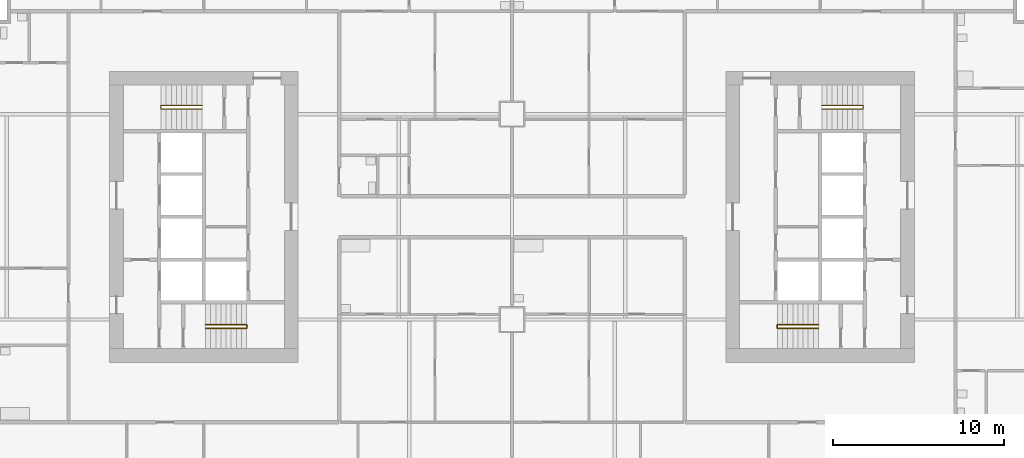
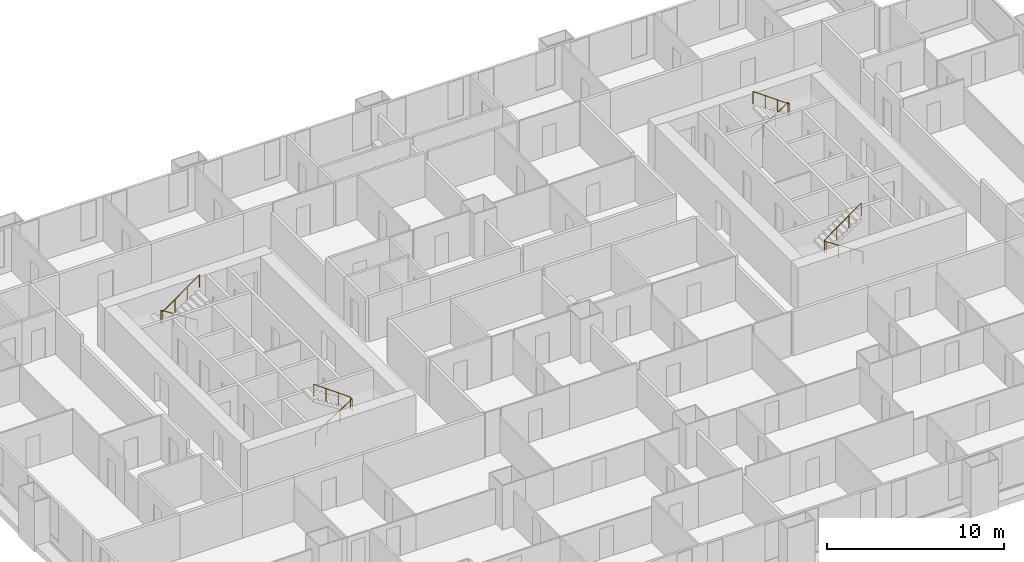
# One storey, part 13 of 14: 4 railings.
"""IFC4 building model written with IfcOpenShell, lengths in metres."""

from ifc_helpers import new_model, si_unit, direction, frame, origin, origin_2d, place, context, subcontext, project, spatial, circle, extrude, material, type_object, element, save


model = new_model("IFC4")

# Units and contexts
model_context = context("Model", 3, precision=1e-05, world=origin(), true_north=direction((0.0, 1.0)))
body_context = subcontext(model_context, "Body", "Model", "MODEL_VIEW")
ifc_project = project(units=[si_unit("LENGTHUNIT", "METRE"), si_unit("AREAUNIT", "SQUARE_METRE"), si_unit("VOLUMEUNIT", "CUBIC_METRE"), si_unit("PLANEANGLEUNIT", "RADIAN"), si_unit("MASSUNIT", "GRAM", prefix="KILO")], contexts=[model_context])

# Site, building, storey
site_placement = place(None, origin())
site = spatial("IfcSite", under=ifc_project, at=site_placement, CompositionType="ELEMENT")
building_placement = place(site_placement, origin())
building = spatial("IfcBuilding", under=site, at=building_placement, Name="Kitamizu Gate Tower and Museum", CompositionType="ELEMENT")
storey_placement = place(building_placement, frame((0.0, 0.0, 33.449951171875)))
storey = spatial("IfcBuildingStorey", under=building, at=storey_placement, Name="L06", CompositionType="ELEMENT", Elevation=33.449951171875)

# Railings
ifc_material = material(Name="Stainless steel SUS304", Category="steel")
railing_type = type_object("IfcRailingType", Name="Stair handrail 900", PredefinedType="HANDRAIL", material=ifc_material)
railing_1_placement = place(storey_placement, frame((18.10009765625, 23.5, 0.191650390625)))
element("IfcRailing", 1, at=railing_1_placement, inside=storey, type_object=railing_type, Name="Stair handrail ST1", PredefinedType="HANDRAIL", context=body_context, shape_type="SweptSolid", body=[
    extrude(circle(Radius=0.02392578125, at=origin_2d()), frame((0.0, 0.0, 0.8759765625), z_axis=(0.842668169335, 0.0, 0.538433242278), x_axis=(0.0, 1.0, 0.0)), (0.0, 0.0, 1.0), 2.847900390625),
    extrude(circle(Radius=0.02392578125, at=origin_2d()), frame((2.39990234375, 0.0, 2.4091796875), z_axis=(0.0, 1.0, 0.0), x_axis=(-1.0, 0.0, 0.0)), (0.0, 0.0, 1.0), 0.199951171875),
    extrude(circle(Radius=0.02392578125, at=origin_2d()), frame((2.39990234375, 0.199951171875, 2.4091796875), z_axis=(-0.81202760531, 0.0, 0.583619026604), x_axis=(0.0, -1.0, 0.0)), (0.0, 0.0, 1.0), 2.955322265625),
    extrude(circle(Radius=0.02099609375, at=origin_2d()), origin(), (0.0, 0.0, 1.0), 0.851806640625),
    extrude(circle(Radius=0.02099609375, at=origin_2d()), frame((0.800048828125, 0.0, 0.51123046875)), (0.0, 0.0, 1.0), 0.851806640625),
    extrude(circle(Radius=0.02099609375, at=origin_2d()), frame((1.599853515625, 0.0, 1.022216796875)), (0.0, 0.0, 1.0), 0.851806640625),
    extrude(circle(Radius=0.02099609375, at=origin_2d()), frame((2.39990234375, 0.0, 1.533447265625)), (0.0, 0.0, 1.0), 0.851806640625),
    extrude(circle(Radius=0.02099609375, at=origin_2d()), frame((2.39990234375, 0.199951171875, 1.533447265625)), (0.0, 0.0, 1.0), 0.851806640625),
    extrude(circle(Radius=0.02099609375, at=origin_2d()), frame((1.599853515625, 0.199951171875, 2.1083984375)), (0.0, 0.0, 1.0), 0.851806640625),
    extrude(circle(Radius=0.02099609375, at=origin_2d()), frame((0.800048828125, 0.199951171875, 2.683349609375)), (0.0, 0.0, 1.0), 0.851806640625),
    extrude(circle(Radius=0.02099609375, at=origin_2d()), frame((0.0, 0.199951171875, 3.25830078125)), (0.0, 0.0, 1.0), 0.851806640625),
])
railing_2_placement = place(storey_placement, frame((17.89990234375, 36.5, 0.191650390625)))
element("IfcRailing", 2, at=railing_2_placement, inside=storey, type_object=railing_type, Name="Stair handrail ST2", PredefinedType="HANDRAIL", context=body_context, shape_type="SweptSolid", body=[
    extrude(circle(Radius=0.02392578125, at=origin_2d()), frame((0.0, 0.0, 0.8759765625), z_axis=(-0.842668169335, 0.0, 0.538433242278), x_axis=(0.0, -1.0, 0.0)), (0.0, 0.0, 1.0), 2.847900390625),
    extrude(circle(Radius=0.02392578125, at=origin_2d()), frame((-2.39990234375, 0.0, 2.4091796875), z_axis=(0.0, -1.0, 0.0), x_axis=(1.0, 0.0, 0.0)), (0.0, 0.0, 1.0), 0.199951171875),
    extrude(circle(Radius=0.02392578125, at=origin_2d()), frame((-2.39990234375, -0.199951171875, 2.4091796875), z_axis=(0.81202760531, 0.0, 0.583619026604), x_axis=(0.0, 1.0, 0.0)), (0.0, 0.0, 1.0), 2.955322265625),
    extrude(circle(Radius=0.02099609375, at=origin_2d()), origin(), (0.0, 0.0, 1.0), 0.851806640625),
    extrude(circle(Radius=0.02099609375, at=origin_2d()), frame((-0.800048828125, 0.0, 0.51123046875)), (0.0, 0.0, 1.0), 0.851806640625),
    extrude(circle(Radius=0.02099609375, at=origin_2d()), frame((-1.599853515625, 0.0, 1.022216796875)), (0.0, 0.0, 1.0), 0.851806640625),
    extrude(circle(Radius=0.02099609375, at=origin_2d()), frame((-2.39990234375, 0.0, 1.533447265625)), (0.0, 0.0, 1.0), 0.851806640625),
    extrude(circle(Radius=0.02099609375, at=origin_2d()), frame((-2.39990234375, -0.199951171875, 1.533447265625)), (0.0, 0.0, 1.0), 0.851806640625),
    extrude(circle(Radius=0.02099609375, at=origin_2d()), frame((-1.599853515625, -0.199951171875, 2.1083984375)), (0.0, 0.0, 1.0), 0.851806640625),
    extrude(circle(Radius=0.02099609375, at=origin_2d()), frame((-0.800048828125, -0.199951171875, 2.683349609375)), (0.0, 0.0, 1.0), 0.851806640625),
    extrude(circle(Radius=0.02099609375, at=origin_2d()), frame((0.0, -0.199951171875, 3.25830078125)), (0.0, 0.0, 1.0), 0.851806640625),
])
railing_3_placement = place(storey_placement, frame((53.89990234375, 23.5, 0.191650390625)))
element("IfcRailing", 3, at=railing_3_placement, inside=storey, type_object=railing_type, Name="Stair handrail ST3", PredefinedType="HANDRAIL", context=body_context, shape_type="SweptSolid", body=[
    extrude(circle(Radius=0.02392578125, at=origin_2d()), frame((0.0, 0.0, 0.8759765625), z_axis=(-0.842668169335, 0.0, 0.538433242278), x_axis=(0.0, -1.0, 0.0)), (0.0, 0.0, 1.0), 2.847900390625),
    extrude(circle(Radius=0.02392578125, at=origin_2d()), frame((-2.39990234375, 0.0, 2.4091796875), z_axis=(0.0, 1.0, 0.0), x_axis=(-1.0, 0.0, 0.0)), (0.0, 0.0, 1.0), 0.199951171875),
    extrude(circle(Radius=0.02392578125, at=origin_2d()), frame((-2.39990234375, 0.199951171875, 2.4091796875), z_axis=(0.81202760531, 0.0, 0.583619026604), x_axis=(0.0, 1.0, 0.0)), (0.0, 0.0, 1.0), 2.955322265625),
    extrude(circle(Radius=0.02099609375, at=origin_2d()), origin(), (0.0, 0.0, 1.0), 0.851806640625),
    extrude(circle(Radius=0.02099609375, at=origin_2d()), frame((-0.800048828125, 0.0, 0.51123046875)), (0.0, 0.0, 1.0), 0.851806640625),
    extrude(circle(Radius=0.02099609375, at=origin_2d()), frame((-1.599853515625, 0.0, 1.022216796875)), (0.0, 0.0, 1.0), 0.851806640625),
    extrude(circle(Radius=0.02099609375, at=origin_2d()), frame((-2.39990234375, 0.0, 1.533447265625)), (0.0, 0.0, 1.0), 0.851806640625),
    extrude(circle(Radius=0.02099609375, at=origin_2d()), frame((-2.39990234375, 0.199951171875, 1.533447265625)), (0.0, 0.0, 1.0), 0.851806640625),
    extrude(circle(Radius=0.02099609375, at=origin_2d()), frame((-1.599853515625, 0.199951171875, 2.1083984375)), (0.0, 0.0, 1.0), 0.851806640625),
    extrude(circle(Radius=0.02099609375, at=origin_2d()), frame((-0.800048828125, 0.199951171875, 2.683349609375)), (0.0, 0.0, 1.0), 0.851806640625),
    extrude(circle(Radius=0.02099609375, at=origin_2d()), frame((0.0, 0.199951171875, 3.25830078125)), (0.0, 0.0, 1.0), 0.851806640625),
])
railing_4_placement = place(storey_placement, frame((54.10009765625, 36.5, 0.191650390625)))
element("IfcRailing", 4, at=railing_4_placement, inside=storey, type_object=railing_type, Name="Stair handrail ST4", PredefinedType="HANDRAIL", context=body_context, shape_type="SweptSolid", body=[
    extrude(circle(Radius=0.02392578125, at=origin_2d()), frame((0.0, 0.0, 0.8759765625), z_axis=(0.842668169335, 0.0, 0.538433242278), x_axis=(0.0, 1.0, 0.0)), (0.0, 0.0, 1.0), 2.847900390625),
    extrude(circle(Radius=0.02392578125, at=origin_2d()), frame((2.39990234375, 0.0, 2.4091796875), z_axis=(0.0, -1.0, 0.0), x_axis=(1.0, 0.0, 0.0)), (0.0, 0.0, 1.0), 0.199951171875),
    extrude(circle(Radius=0.02392578125, at=origin_2d()), frame((2.39990234375, -0.199951171875, 2.4091796875), z_axis=(-0.81202760531, 0.0, 0.583619026604), x_axis=(0.0, -1.0, 0.0)), (0.0, 0.0, 1.0), 2.955322265625),
    extrude(circle(Radius=0.02099609375, at=origin_2d()), origin(), (0.0, 0.0, 1.0), 0.851806640625),
    extrude(circle(Radius=0.02099609375, at=origin_2d()), frame((0.800048828125, 0.0, 0.51123046875)), (0.0, 0.0, 1.0), 0.851806640625),
    extrude(circle(Radius=0.02099609375, at=origin_2d()), frame((1.599853515625, 0.0, 1.022216796875)), (0.0, 0.0, 1.0), 0.851806640625),
    extrude(circle(Radius=0.02099609375, at=origin_2d()), frame((2.39990234375, 0.0, 1.533447265625)), (0.0, 0.0, 1.0), 0.851806640625),
    extrude(circle(Radius=0.02099609375, at=origin_2d()), frame((2.39990234375, -0.199951171875, 1.533447265625)), (0.0, 0.0, 1.0), 0.851806640625),
    extrude(circle(Radius=0.02099609375, at=origin_2d()), frame((1.599853515625, -0.199951171875, 2.1083984375)), (0.0, 0.0, 1.0), 0.851806640625),
    extrude(circle(Radius=0.02099609375, at=origin_2d()), frame((0.800048828125, -0.199951171875, 2.683349609375)), (0.0, 0.0, 1.0), 0.851806640625),
    extrude(circle(Radius=0.02099609375, at=origin_2d()), frame((0.0, -0.199951171875, 3.25830078125)), (0.0, 0.0, 1.0), 0.851806640625),
])

save(model, "model.ifc")
